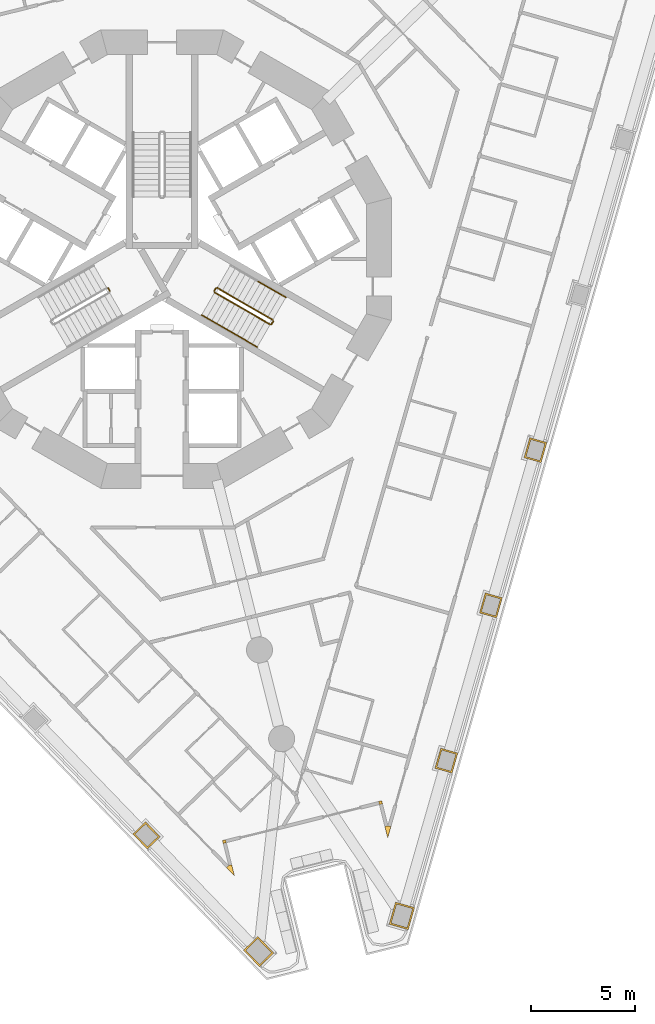
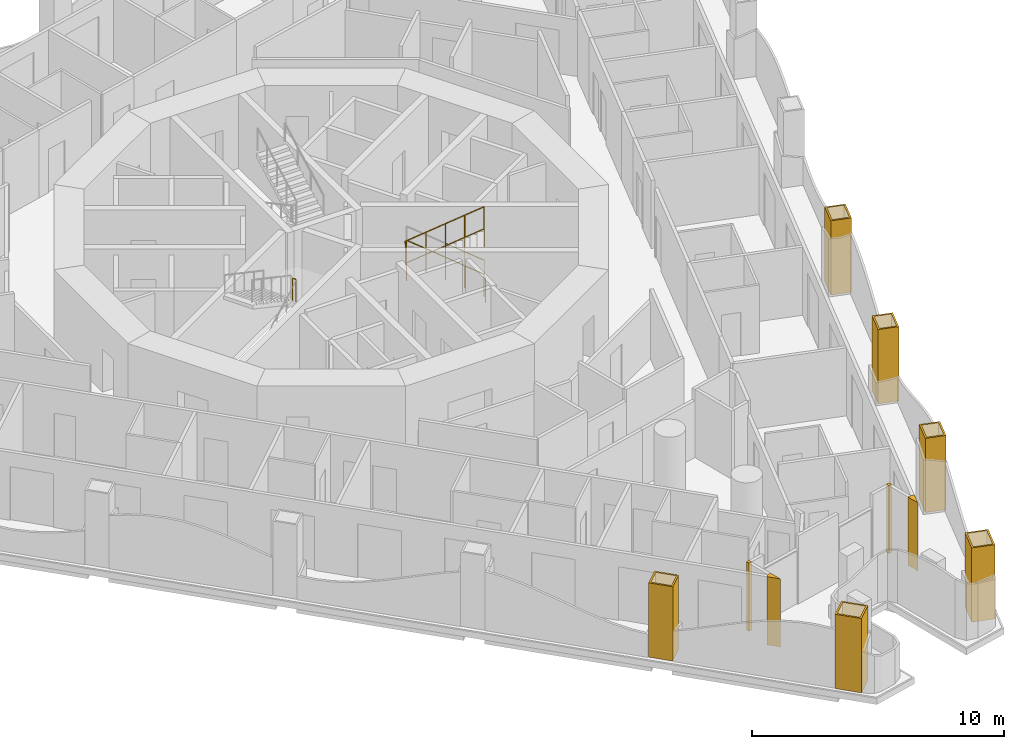
# One storey, part 15 of 20: 10 coverings, 8 railings.
"""IFC4 building model written with IfcOpenShell, lengths in metres."""

from ifc_helpers import new_model, si_unit, direction, frame, origin, origin_2d, place, context, subcontext, project, spatial, polyline, circle, outline, extrude, material, layer, layer_set, type_object, element, save


model = new_model("IFC4")

# Units and contexts
model_context = context("Model", 3, precision=1e-05, world=origin(), true_north=direction((0.0, 1.0)))
body_context = subcontext(model_context, "Body", "Model", "MODEL_VIEW")
ifc_project = project(units=[si_unit("LENGTHUNIT", "METRE"), si_unit("AREAUNIT", "SQUARE_METRE"), si_unit("VOLUMEUNIT", "CUBIC_METRE"), si_unit("PLANEANGLEUNIT", "RADIAN"), si_unit("MASSUNIT", "GRAM", prefix="KILO")], contexts=[model_context])

# Site, building, storey
site_placement = place(None, origin())
site = spatial("IfcSite", under=ifc_project, at=site_placement, CompositionType="ELEMENT")
building_placement = place(site_placement, origin())
building = spatial("IfcBuilding", under=site, at=building_placement, Name="Trine Commons Tower", CompositionType="ELEMENT")
storey_placement = place(building_placement, frame((0.0, 0.0, 108.89990234375)))
storey = spatial("IfcBuildingStorey", under=building, at=storey_placement, Name="L27", CompositionType="ELEMENT", Elevation=108.89990234375)

# Coverings
ifc_material_1 = material(Name="Aluminium-framed insulated wall panel", Category="aluminium")
ifc_layer_1 = layer(ifc_material_1, 0.14990234375)
ifc_layer_set_1 = layer_set([ifc_layer_1], Name="Aluminium-framed insulated wall panel")
covering_type_1 = type_object("IfcCoveringType", Name="Glazing corner post, aluminium", PredefinedType="CLADDING", material=ifc_layer_set_1)
covering_1_placement = place(storey_placement, origin())
element("IfcCovering", 1, at=covering_1_placement, inside=storey, type_object=covering_type_1, Name="Glazing corner post 3-09", PredefinedType="CLADDING", context=body_context, shape_type="SweptSolid", body=[
    extrude(outline(polyline([(90.701416015625, 35.24560546875), (90.836669921875, 34.70263671875), (90.990966796875, 35.24072265625), (90.8466796875, 35.281982421875), (90.701416015625, 35.24560546875)])), origin(), (0.0, 0.0, 1.0), 3.300048828125),
])
covering_2_placement = place(storey_placement, origin())
element("IfcCovering", 2, at=covering_2_placement, inside=storey, type_object=covering_type_1, Name="Glazing corner post 3-10", PredefinedType="CLADDING", context=body_context, shape_type="SweptSolid", body=[
    extrude(outline(polyline([(90.40234375, 36.44482421875), (90.438720703125, 36.29931640625), (90.584228515625, 36.33544921875), (90.5478515625, 36.481201171875), (90.40234375, 36.44482421875)])), origin(), (0.0, 0.0, 1.0), 3.300048828125),
])
covering_3_placement = place(storey_placement, origin())
element("IfcCovering", 3, at=covering_3_placement, inside=storey, type_object=covering_type_1, Name="Glazing corner post 3-11", PredefinedType="CLADDING", context=body_context, shape_type="SweptSolid", body=[
    extrude(outline(polyline([(82.938232421875, 34.42919921875), (83.083740234375, 34.465576171875), (83.047607421875, 34.611083984375), (82.90185546875, 34.57470703125), (82.938232421875, 34.42919921875)])), origin(), (0.0, 0.0, 1.0), 3.300048828125),
])
covering_4_placement = place(storey_placement, origin())
element("IfcCovering", 4, at=covering_4_placement, inside=storey, type_object=covering_type_1, Name="Glazing corner post 3-12", PredefinedType="CLADDING", context=body_context, shape_type="SweptSolid", body=[
    extrude(outline(polyline([(83.093017578125, 33.271484375), (83.48193359375, 32.868896484375), (83.346435546875, 33.412109375), (83.200927734375, 33.375732421875), (83.093017578125, 33.271484375)])), origin(), (0.0, 0.0, 1.0), 3.300048828125),
])
ifc_material_2 = material(Name="Limestone, honed", Category="masonry")
ifc_layer_2 = layer(ifc_material_2, 0.074951171875)
ifc_layer_set_2 = layer_set([ifc_layer_2], Name="Limestone, honed")
covering_type_2 = type_object("IfcCoveringType", Name="Limestone column cladding 75", PredefinedType="CLADDING", material=ifc_layer_set_2)
covering_5_placement = place(storey_placement, origin())
element("IfcCovering", 5, at=covering_5_placement, inside=storey, type_object=covering_type_2, Name="Limestone pier cladding 3-01", PredefinedType="CLADDING", context=body_context, shape_type="SweptSolid", body=[
    extrude(outline(polyline([(84.600341796875, 29.961669921875), (83.9169921875, 29.3017578125), (84.68115234375, 28.510498046875), (85.364501953125, 29.17041015625), (84.600341796875, 29.961669921875)]), holes=[polyline([(84.598388671875, 29.85546875), (84.02294921875, 29.2998046875), (84.682861328125, 28.616455078125), (85.25830078125, 29.172119140625), (84.598388671875, 29.85546875)])]), origin(), (0.0, 0.0, 1.0), 3.60009765625),
])
covering_6_placement = place(storey_placement, origin())
element("IfcCovering", 6, at=covering_6_placement, inside=storey, type_object=covering_type_2, Name="Limestone pier cladding 3-02", PredefinedType="CLADDING", context=body_context, shape_type="SweptSolid", body=[
    extrude(outline(polyline([(79.210205078125, 35.47119140625), (78.5986328125, 34.880859375), (79.293212890625, 34.16162109375), (79.90478515625, 34.751953125), (79.210205078125, 35.47119140625)]), holes=[polyline([(79.208251953125, 35.365234375), (78.70458984375, 34.87890625), (79.295166015625, 34.267578125), (79.798583984375, 34.75390625), (79.208251953125, 35.365234375)])]), origin(), (0.0, 0.0, 1.0), 3.60009765625),
])
covering_7_placement = place(storey_placement, origin())
element("IfcCovering", 7, at=covering_7_placement, inside=storey, type_object=covering_type_2, Name="Limestone pier cladding 3-21", PredefinedType="CLADDING", context=body_context, shape_type="SweptSolid", body=[
    extrude(outline(polyline([(98.48046875, 53.685791015625), (97.663330078125, 53.920166015625), (97.3876953125, 52.958984375), (98.20458984375, 52.724609375), (98.48046875, 53.685791015625)]), holes=[polyline([(98.3876953125, 53.634521484375), (97.714599609375, 53.827392578125), (97.48046875, 53.01025390625), (98.1533203125, 52.8173828125), (98.3876953125, 53.634521484375)])]), origin(), (0.0, 0.0, 1.0), 3.60009765625),
])
covering_8_placement = place(storey_placement, origin())
element("IfcCovering", 8, at=covering_8_placement, inside=storey, type_object=covering_type_2, Name="Limestone pier cladding 3-22", PredefinedType="CLADDING", context=body_context, shape_type="SweptSolid", body=[
    extrude(outline(polyline([(96.342041015625, 46.228759765625), (95.52490234375, 46.462890625), (95.249267578125, 45.501708984375), (96.06640625, 45.267333984375), (96.342041015625, 46.228759765625)]), holes=[polyline([(96.249267578125, 46.17724609375), (95.576416015625, 46.3701171875), (95.342041015625, 45.552978515625), (96.014892578125, 45.360107421875), (96.249267578125, 46.17724609375)])]), origin(), (0.0, 0.0, 1.0), 3.60009765625),
])
covering_9_placement = place(storey_placement, origin())
element("IfcCovering", 9, at=covering_9_placement, inside=storey, type_object=covering_type_2, Name="Limestone pier cladding 3-23", PredefinedType="CLADDING", context=body_context, shape_type="SweptSolid", body=[
    extrude(outline(polyline([(94.203857421875, 38.771484375), (93.38671875, 39.005859375), (93.111083984375, 38.044677734375), (93.927978515625, 37.810302734375), (94.203857421875, 38.771484375)]), holes=[polyline([(94.111083984375, 38.72021484375), (93.43798828125, 38.9130859375), (93.203857421875, 38.095947265625), (93.876708984375, 37.903076171875), (94.111083984375, 38.72021484375)])]), origin(), (0.0, 0.0, 1.0), 3.60009765625),
])
covering_10_placement = place(storey_placement, origin())
element("IfcCovering", 10, at=covering_10_placement, inside=storey, type_object=covering_type_2, Name="Limestone pier cladding 3-24", PredefinedType="CLADDING", context=body_context, shape_type="SweptSolid", body=[
    extrude(outline(polyline([(92.127197265625, 31.348876953125), (91.214111328125, 31.610595703125), (90.910888671875, 30.55322265625), (91.82421875, 30.29150390625), (92.127197265625, 31.348876953125)]), holes=[polyline([(92.034423828125, 31.29736328125), (91.265380859375, 31.517822265625), (91.003662109375, 30.604736328125), (91.772705078125, 30.384033203125), (92.034423828125, 31.29736328125)])]), origin(), (0.0, 0.0, 1.0), 3.60009765625),
])

# Railings
ifc_material_3 = material(Name="Stainless steel balustrade", Category="steel")
railing_type_1 = type_object("IfcRailingType", Name="Stair guard, steel balustrade 1100", PredefinedType="GUARDRAIL", material=ifc_material_3)
railing_1_placement = place(storey_placement, frame((77.490966796875, 60.96484375, 1.800048828125)))
element("IfcRailing", 11, at=railing_1_placement, inside=storey, type_object=railing_type_1, Name="L27 ST2A stair guard 2", PredefinedType="GUARDRAIL", context=body_context, shape_type="SweptSolid", body=[
    extrude(circle(Radius=0.02392578125, at=origin_2d()), frame((0.0, 0.0, 1.076171875), z_axis=(-0.501036270542, 0.865426285481, 0.0), x_axis=(-0.865426285481, -0.501036270542, 0.0)), (0.0, 0.0, 1.0), 0.150146484375),
    extrude(circle(Radius=0.02099609375, at=origin_2d()), origin(), (0.0, 0.0, 1.0), 1.052001953125),
    extrude(circle(Radius=0.02099609375, at=origin_2d()), frame((-0.0751953125, 0.1298828125, 0.0)), (0.0, 0.0, 1.0), 1.052001953125),
])
railing_2_placement = place(storey_placement, frame((85.31982421875, 59.572998046875, 0.150146484375)))
element("IfcRailing", 12, at=railing_2_placement, inside=storey, type_object=railing_type_1, Name="L27 ST3A stair guard 1", PredefinedType="GUARDRAIL", context=body_context, shape_type="SweptSolid", body=[
    extrude(circle(Radius=0.02392578125, at=origin_2d()), frame((0.0, 0.0, 1.076171875), z_axis=(-0.76340495495, 0.440743040072, 0.472184759798), x_axis=(-0.499992328818, -0.866029832698, 0.0)), (0.0, 0.0, 1.0), 3.494140625),
    extrude(circle(Radius=0.02099609375, at=origin_2d()), origin(), (0.0, 0.0, 1.0), 1.052001953125),
    extrude(circle(Radius=0.02099609375, at=origin_2d()), frame((-0.6669921875, 0.385009765625, 0.41259765625)), (0.0, 0.0, 1.0), 1.052001953125),
    extrude(circle(Radius=0.02099609375, at=origin_2d()), frame((-1.333740234375, 0.77001953125, 0.824951171875)), (0.0, 0.0, 1.0), 1.052001953125),
    extrude(circle(Radius=0.02099609375, at=origin_2d()), frame((-2.00048828125, 1.155029296875, 1.2373046875)), (0.0, 0.0, 1.0), 1.052001953125),
    extrude(circle(Radius=0.02099609375, at=origin_2d()), frame((-2.66748046875, 1.5400390625, 1.64990234375)), (0.0, 0.0, 1.0), 1.052001953125),
])
railing_3_placement = place(storey_placement, frame((82.584228515625, 61.0947265625, 1.800048828125)))
element("IfcRailing", 13, at=railing_3_placement, inside=storey, type_object=railing_type_1, Name="L27 ST3A stair guard 2", PredefinedType="GUARDRAIL", context=body_context, shape_type="SweptSolid", body=[
    extrude(circle(Radius=0.02392578125, at=origin_2d()), frame((0.0, 0.0, 1.076171875), z_axis=(-0.501036270542, -0.865426285481, 0.0), x_axis=(0.865426285481, -0.501036270542, 0.0)), (0.0, 0.0, 1.0), 0.150146484375),
    extrude(circle(Radius=0.02099609375, at=origin_2d()), origin(), (0.0, 0.0, 1.0), 1.052001953125),
    extrude(circle(Radius=0.02099609375, at=origin_2d()), frame((-0.0751953125, -0.1298828125, 0.0)), (0.0, 0.0, 1.0), 1.052001953125),
])
railing_4_placement = place(storey_placement, frame((82.52734375, 60.896484375, 1.9501953125)))
element("IfcRailing", 14, at=railing_4_placement, inside=storey, type_object=railing_type_1, Name="L27 ST3A stair guard 3", PredefinedType="GUARDRAIL", context=body_context, shape_type="SweptSolid", body=[
    extrude(circle(Radius=0.02392578125, at=origin_2d()), frame((0.0, 0.0, 1.076171875), z_axis=(0.76340495495, -0.440743040072, 0.472184759798), x_axis=(0.499992328818, 0.866029832698, 0.0)), (0.0, 0.0, 1.0), 3.494140625),
    extrude(circle(Radius=0.02099609375, at=origin_2d()), origin(), (0.0, 0.0, 1.0), 1.052001953125),
    extrude(circle(Radius=0.02099609375, at=origin_2d()), frame((0.6669921875, -0.385009765625, 0.41259765625)), (0.0, 0.0, 1.0), 1.052001953125),
    extrude(circle(Radius=0.02099609375, at=origin_2d()), frame((1.333740234375, -0.77001953125, 0.824951171875)), (0.0, 0.0, 1.0), 1.052001953125),
    extrude(circle(Radius=0.02099609375, at=origin_2d()), frame((2.00048828125, -1.155029296875, 1.2373046875)), (0.0, 0.0, 1.0), 1.052001953125),
    extrude(circle(Radius=0.02099609375, at=origin_2d()), frame((2.66748046875, -1.5400390625, 1.64990234375)), (0.0, 0.0, 1.0), 1.052001953125),
])
railing_5_placement = place(storey_placement, frame((85.338134765625, 59.504638671875, 0.0)))
element("IfcRailing", 15, at=railing_5_placement, inside=storey, type_object=railing_type_1, Name="L27 ST3A stair guard 4", PredefinedType="GUARDRAIL", context=body_context, shape_type="SweptSolid", body=[
    extrude(circle(Radius=0.02392578125, at=origin_2d()), frame((0.0, 0.0, 1.076171875), z_axis=(-0.499816412211, -0.866131372301, 0.0), x_axis=(0.866131372301, -0.499816412211, 0.0)), (0.0, 0.0, 1.0), 0.14990234375),
    extrude(circle(Radius=0.02099609375, at=origin_2d()), origin(), (0.0, 0.0, 1.0), 1.052001953125),
    extrude(circle(Radius=0.02099609375, at=origin_2d()), frame((-0.074951171875, -0.1298828125, 0.0)), (0.0, 0.0, 1.0), 1.052001953125),
])
ifc_material_4 = material(Name="Stainless steel handrail", Category="steel")
railing_type_2 = type_object("IfcRailingType", Name="Stair handrail, steel 900", PredefinedType="HANDRAIL", material=ifc_material_4)
railing_6_placement = place(storey_placement, frame((85.94482421875, 60.655517578125, 0.150146484375)))
element("IfcRailing", 16, at=railing_6_placement, inside=storey, type_object=railing_type_2, Name="L27 ST3A stair handrail 1", PredefinedType="HANDRAIL", context=body_context, shape_type="SweptSolid", body=[
    extrude(circle(Radius=0.02099609375, at=origin_2d()), frame((0.0, 0.0, 0.87890625), z_axis=(-0.76340495495, 0.440743040072, 0.472184759798), x_axis=(-0.499992328818, -0.866029832698, 0.0)), (0.0, 0.0, 1.0), 1.7470703125),
    extrude(circle(Radius=0.01513671875, at=origin_2d()), origin(), (0.0, 0.0, 1.0), 0.85791015625),
    extrude(circle(Radius=0.01513671875, at=origin_2d()), frame((-0.6669921875, 0.385009765625, 0.41259765625)), (0.0, 0.0, 1.0), 0.85791015625),
    extrude(circle(Radius=0.01513671875, at=origin_2d()), frame((-1.333740234375, 0.77001953125, 0.824951171875)), (0.0, 0.0, 1.0), 0.85791015625),
])
for number, where, name in (
    (17, (81.90234375, 59.81396484375, 1.9501953125), "L27 ST3A stair handrail 3"),
    (18, (83.236083984375, 59.0439453125, 2.775146484375), "L27 ST3A stair handrail 4"),
):
    element("IfcRailing", number, at=place(storey_placement, frame(where)), inside=storey, type_object=railing_type_2, Name=name, PredefinedType="HANDRAIL", context=body_context, shape_type="SweptSolid", body=[
        extrude(circle(Radius=0.02099609375, at=origin_2d()), frame((0.0, 0.0, 0.87890625), z_axis=(0.76340495495, -0.440743040072, 0.472184759798), x_axis=(0.499992328818, 0.866029832698, 0.0)), (0.0, 0.0, 1.0), 1.7470703125),
        extrude(circle(Radius=0.01513671875, at=origin_2d()), origin(), (0.0, 0.0, 1.0), 0.85791015625),
        extrude(circle(Radius=0.01513671875, at=origin_2d()), frame((0.6669921875, -0.385009765625, 0.41259765625)), (0.0, 0.0, 1.0), 0.85791015625),
        extrude(circle(Radius=0.01513671875, at=origin_2d()), frame((1.333740234375, -0.77001953125, 0.824951171875)), (0.0, 0.0, 1.0), 0.85791015625),
    ])

save(model, "model.ifc")
